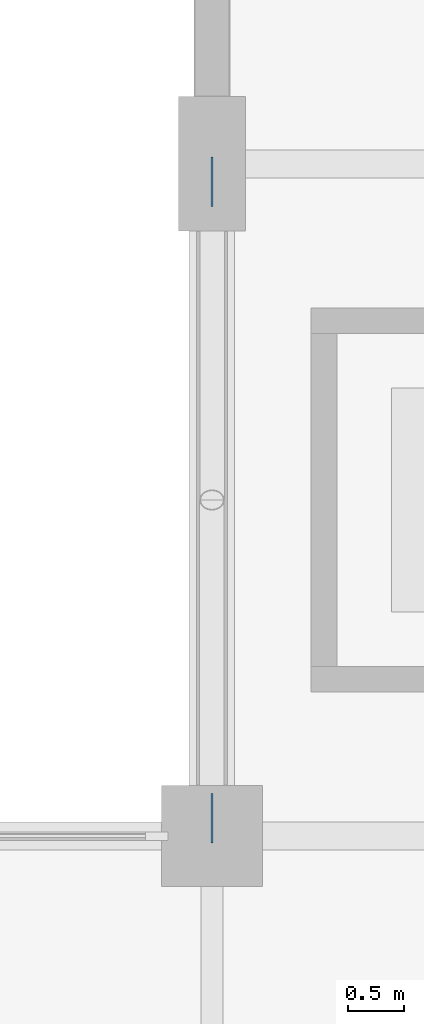
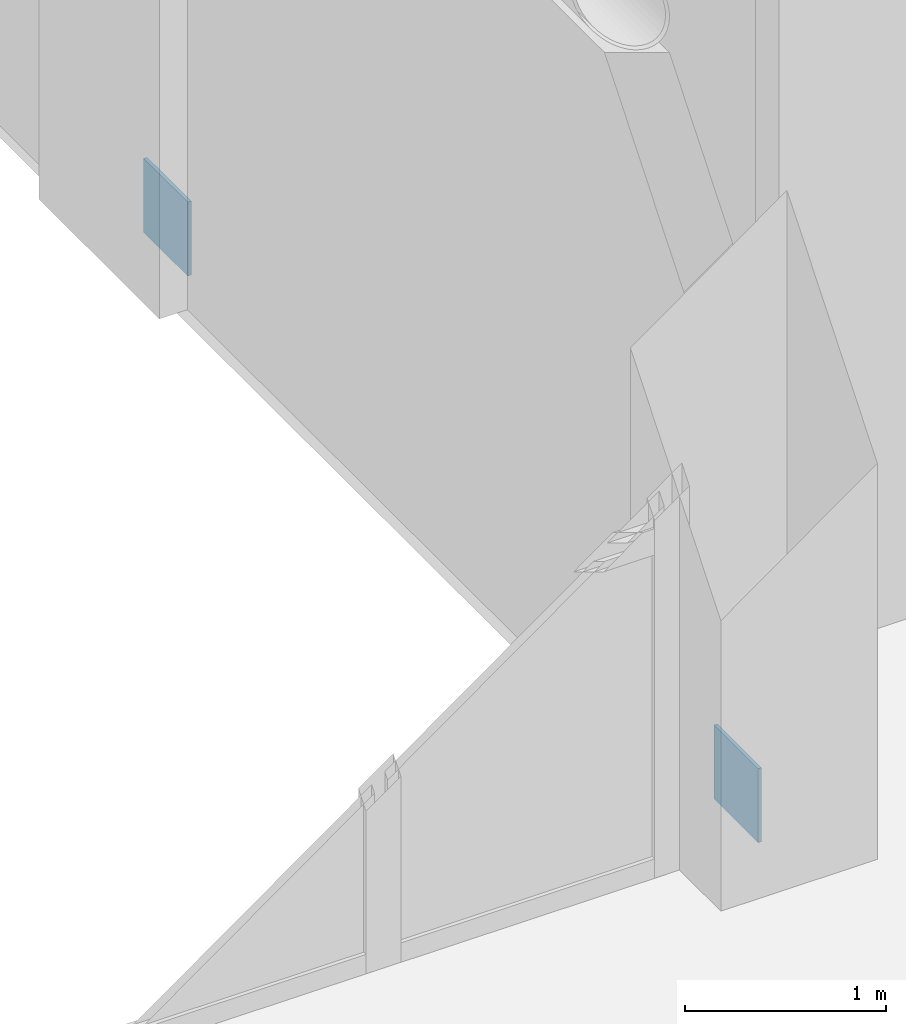
# One storey, part 61 of 76: 2 discrete accessories.
"""IFC4 building model written with IfcOpenShell, lengths in metres."""

from ifc_helpers import new_model, si_unit, direction, frame, origin, origin_2d, place, context, subcontext, project, spatial, rectangle, extrude, material, layer, layer_set, type_object, element, save


model = new_model("IFC4")

# Units and contexts
model_context = context("Model", 3, precision=1e-05, world=origin(), true_north=direction((0.0, 1.0)))
body_context = subcontext(model_context, "Body", "Model", "MODEL_VIEW")
ifc_project = project(units=[si_unit("LENGTHUNIT", "METRE"), si_unit("AREAUNIT", "SQUARE_METRE"), si_unit("VOLUMEUNIT", "CUBIC_METRE"), si_unit("PLANEANGLEUNIT", "RADIAN"), si_unit("MASSUNIT", "GRAM", prefix="KILO")], contexts=[model_context])

# Site, building, storey
site_placement = place(None, origin())
site = spatial("IfcSite", under=ifc_project, at=site_placement, CompositionType="ELEMENT")
building_placement = place(site_placement, origin())
building = spatial("IfcBuilding", under=site, at=building_placement, Name="Varnakota Square Police Headquarters", CompositionType="ELEMENT")
storey_placement = place(building_placement, origin())
storey = spatial("IfcBuildingStorey", under=building, at=storey_placement, Name="L00", CompositionType="ELEMENT", Elevation=0.0)

# Discrete accessories
ifc_material = material(Name="Steel IS 2062 Grade 350", Category="steel")
ifc_layer = layer(ifc_material, 0.64990234375, Name="Steel IS 2062 Grade 350")
ifc_layer_set = layer_set([ifc_layer], Name="Steel IS 2062 Grade 350")
discrete_accessory_type = type_object("IfcDiscreteAccessoryType", Name="ACC-EMB-350", PredefinedType="BRACKET", material=ifc_layer_set)
for number, where, z_axis, x_axis, name in (
    (1, (138.0, 15.159912109375, 0.02490234375), (0.0, 0.0, 1.0), (0.0, 1.0, 0.0), "Brace gusset connection plate BF2 L00 L"),
    (2, (138.0, 20.840087890625, 0.02490234375), (0.0, 0.0, 1.0), (0.0, 1.0, 0.0), "Brace gusset connection plate BF2 L00 R"),
):
    element("IfcDiscreteAccessory", number, at=place(storey_placement, frame(where, z_axis=z_axis, x_axis=x_axis)), inside=storey, type_object=discrete_accessory_type, Name=name, PredefinedType="BRACKET", context=body_context, shape_type="SweptSolid", body=[
        extrude(rectangle(XDim=0.43994140625, YDim=0.02001953125, at=origin_2d()), origin(), (0.0, 0.0, 1.0), 0.449951171875),
    ])

save(model, "model.ifc")
